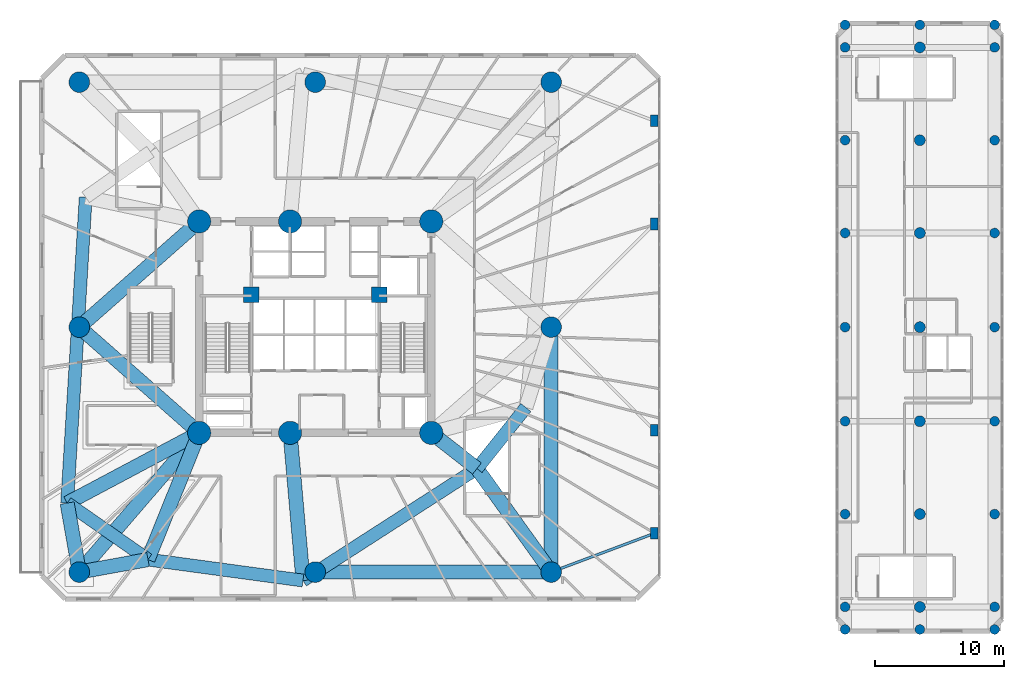
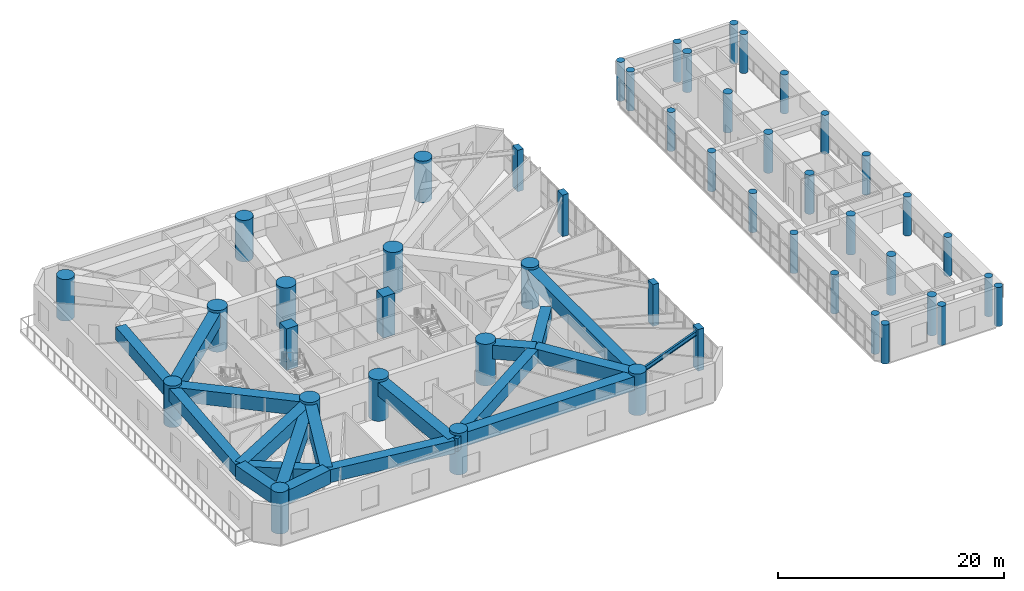
# One storey, part 1 of 22: 47 columns, 18 beams.
"""IFC4 building model written with IfcOpenShell, lengths in metres."""

from ifc_helpers import new_model, si_unit, direction, frame, origin, origin_with_axes, origin_2d, place, context, subcontext, project, spatial, rectangle, circle, i_section, extrude, source, transform, mapped, material, material_profile, profile_set, type_object, element, save


model = new_model("IFC4")

# Units and contexts
model_context = context("Model", 3, precision=1e-05, world=origin(), true_north=direction((0.0, 1.0)))
body_context = subcontext(model_context, "Body", "Model", "MODEL_VIEW")
ifc_project = project(units=[si_unit("LENGTHUNIT", "METRE"), si_unit("AREAUNIT", "SQUARE_METRE"), si_unit("VOLUMEUNIT", "CUBIC_METRE"), si_unit("PLANEANGLEUNIT", "RADIAN"), si_unit("MASSUNIT", "GRAM", prefix="KILO")], contexts=[model_context])

# Site, building, storey
site_placement = place(None, origin())
site = spatial("IfcSite", under=ifc_project, at=site_placement, CompositionType="ELEMENT")
building_placement = place(site_placement, origin())
building = spatial("IfcBuilding", under=site, at=building_placement, Name="Karkom Vertical University and Central Library", CompositionType="ELEMENT")
storey_placement = place(building_placement, frame((0.0, 0.0, 18.0)))
storey = spatial("IfcBuildingStorey", under=building, at=storey_placement, Name="L04", CompositionType="ELEMENT", Elevation=18.0)

# Columns
ifc_material_1 = material(Name="Concrete C40/50", Category="concrete")
ifc_material_profile_1 = material_profile(ifc_material_1, circle(Radius=0.375, at=origin_2d()), Name="RC-D750")
ifc_profile_set_1 = profile_set([ifc_material_profile_1], Name="Concrete C40/50")
column_type_1 = type_object("IfcColumnType", Name="STR-COL-C-LB2", PredefinedType="COLUMN", material=ifc_profile_set_1)
shared_shape_1 = source(origin_with_axes(), body_context, "Body", "SweptSolid", [
    extrude(circle(Radius=0.375, at=origin_2d()), origin(), (0.0, 0.0, 1.0), 4.22509765625),
])
for number, where, z_axis, x_axis, name in (
    (1, (69.60009765625, 3.050048828125, 0.0), (0.0, 0.0, 1.0), (1.0, 0.0, 0.0), "Level 04 Library Vault End Column"),
    (2, (69.60009765625, 49.949951171875, 0.0), (0.0, 0.0, 1.0), (1.0, 0.0, 0.0), "Level 04 Library Vault End Column"),
    (3, (75.39990234375, 3.050048828125, 0.0), (0.0, 0.0, 1.0), (1.0, 0.0, 0.0), "Level 04 Library Vault End Column"),
    (4, (75.39990234375, 49.949951171875, 0.0), (0.0, 0.0, 1.0), (1.0, 0.0, 0.0), "Level 04 Library Vault End Column"),
    (5, (81.199951171875, 3.050048828125, 0.0), (0.0, 0.0, 1.0), (1.0, 0.0, 0.0), "Level 04 Library Vault End Column"),
    (6, (81.199951171875, 49.949951171875, 0.0), (0.0, 0.0, 1.0), (1.0, 0.0, 0.0), "Level 04 Library Vault End Column"),
    (7, (69.60009765625, 4.800048828125, 0.0), (0.0, 0.0, 1.0), (1.0, 0.0, 0.0), "Level 04 Central Library Column LC-1-1"),
    (8, (69.60009765625, 12.0, 0.0), (0.0, 0.0, 1.0), (1.0, 0.0, 0.0), "Level 04 Central Library Column LC-1-2"),
    (9, (69.60009765625, 19.199951171875, 0.0), (0.0, 0.0, 1.0), (1.0, 0.0, 0.0), "Level 04 Central Library Column LC-1-3"),
    (10, (69.60009765625, 26.5, 0.0), (0.0, 0.0, 1.0), (1.0, 0.0, 0.0), "Level 04 Central Library Column LC-1-4"),
    (11, (69.60009765625, 33.800048828125, 0.0), (0.0, 0.0, 1.0), (1.0, 0.0, 0.0), "Level 04 Central Library Column LC-1-5"),
    (12, (69.60009765625, 41.0, 0.0), (0.0, 0.0, 1.0), (1.0, 0.0, 0.0), "Level 04 Central Library Column LC-1-6"),
    (13, (69.60009765625, 48.199951171875, 0.0), (0.0, 0.0, 1.0), (1.0, 0.0, 0.0), "Level 04 Central Library Column LC-1-7"),
    (14, (81.199951171875, 4.800048828125, 0.0), (0.0, 0.0, 1.0), (1.0, 0.0, 0.0), "Level 04 Central Library Column LC-3-1"),
    (15, (81.199951171875, 12.0, 0.0), (0.0, 0.0, 1.0), (1.0, 0.0, 0.0), "Level 04 Central Library Column LC-3-2"),
    (16, (81.199951171875, 19.199951171875, 0.0), (0.0, 0.0, 1.0), (1.0, 0.0, 0.0), "Level 04 Central Library Column LC-3-3"),
    (17, (81.199951171875, 26.5, 0.0), (0.0, 0.0, 1.0), (1.0, 0.0, 0.0), "Level 04 Central Library Column LC-3-4"),
    (18, (81.199951171875, 33.800048828125, 0.0), (0.0, 0.0, 1.0), (1.0, 0.0, 0.0), "Level 04 Central Library Column LC-3-5"),
    (19, (81.199951171875, 41.0, 0.0), (0.0, 0.0, 1.0), (1.0, 0.0, 0.0), "Level 04 Central Library Column LC-3-6"),
    (20, (81.199951171875, 48.199951171875, 0.0), (0.0, 0.0, 1.0), (1.0, 0.0, 0.0), "Level 04 Central Library Column LC-3-7"),
):
    element("IfcColumn", number, at=place(storey_placement, frame(where, z_axis=z_axis, x_axis=x_axis)), inside=storey, type_object=column_type_1, Name=name, PredefinedType="COLUMN", context=body_context, shape_type="MappedRepresentation", body=[
        mapped(shared_shape_1, transform((0.0, 0.0, 0.0), scale=1.0)),
    ])
ifc_material_2 = material(Name="Concrete C50/60", Category="concrete")
ifc_material_profile_2 = material_profile(ifc_material_2, circle(Radius=0.89990234375, at=origin_2d()), Name="CFT-D1800")
ifc_profile_set_2 = profile_set([ifc_material_profile_2], Name="Concrete C50/60")
column_type_2 = type_object("IfcColumnType", Name="STR-COL-C-SC1", PredefinedType="COLUMN", material=ifc_profile_set_2)
shared_shape_2 = source(origin_with_axes(), body_context, "Body", "SweptSolid", [
    extrude(circle(Radius=0.89990234375, at=origin_2d()), origin(), (0.0, 0.0, 1.0), 4.5),
])
for number, where, z_axis, x_axis, name in (
    (21, (19.5, 18.300048828125, 0.0), (0.0, 0.0, 1.0), (1.0, 0.0, 0.0), "Level 04 Spine Mega-Column SC-1"),
    (22, (26.550048828125, 18.300048828125, 0.0), (0.0, 0.0, 1.0), (1.0, 0.0, 0.0), "Level 04 Spine Mega-Column SC-2"),
    (23, (37.5, 18.300048828125, 0.0), (0.0, 0.0, 1.0), (1.0, 0.0, 0.0), "Level 04 Spine Mega-Column SC-3"),
    (24, (19.5, 34.699951171875, 0.0), (0.0, 0.0, 1.0), (1.0, 0.0, 0.0), "Level 04 Spine Mega-Column SC-4"),
    (25, (26.550048828125, 34.699951171875, 0.0), (0.0, 0.0, 1.0), (1.0, 0.0, 0.0), "Level 04 Spine Mega-Column SC-5"),
    (26, (37.5, 34.699951171875, 0.0), (0.0, 0.0, 1.0), (1.0, 0.0, 0.0), "Level 04 Spine Mega-Column SC-6"),
):
    element("IfcColumn", number, at=place(storey_placement, frame(where, z_axis=z_axis, x_axis=x_axis)), inside=storey, type_object=column_type_2, Name=name, PredefinedType="COLUMN", context=body_context, shape_type="MappedRepresentation", body=[
        mapped(shared_shape_2, transform((0.0, 0.0, 0.0), scale=1.0)),
    ])
ifc_material_profile_3 = material_profile(ifc_material_2, rectangle(XDim=1.199951171875, YDim=1.199951171875, at=origin_2d()), Name="RC-1200x1200")
ifc_profile_set_3 = profile_set([ifc_material_profile_3], Name="Concrete C50/60")
column_type_3 = type_object("IfcColumnType", Name="STR-COL-C-CC1", PredefinedType="COLUMN", material=ifc_profile_set_3)
shared_shape_3 = source(origin_with_axes(), body_context, "Body", "SweptSolid", [
    extrude(rectangle(XDim=1.199951171875, YDim=1.199951171875, at=origin_2d()), origin(), (0.0, 0.0, 1.0), 4.5),
])
for number, where, z_axis, x_axis, name in (
    (27, (23.550048828125, 29.0, 0.0), (0.0, 0.0, 1.0), (1.0, 0.0, 0.0), "Level 04 Core Node Column CC-1"),
    (28, (33.449951171875, 29.0, 0.0), (0.0, 0.0, 1.0), (1.0, 0.0, 0.0), "Level 04 Core Node Column CC-2"),
):
    element("IfcColumn", number, at=place(storey_placement, frame(where, z_axis=z_axis, x_axis=x_axis)), inside=storey, type_object=column_type_3, Name=name, PredefinedType="COLUMN", context=body_context, shape_type="MappedRepresentation", body=[
        mapped(shared_shape_3, transform((0.0, 0.0, 0.0), scale=1.0)),
    ])
ifc_material_3 = material(Name="Precast concrete C45/55", Category="concrete")
ifc_material_profile_4 = material_profile(ifc_material_3, rectangle(XDim=0.60009765625, YDim=0.89990234375, at=origin_2d()), Name="PIL-600x900")
ifc_profile_set_4 = profile_set([ifc_material_profile_4], Name="Precast concrete C45/55")
column_type_4 = type_object("IfcColumnType", Name="STR-COL-PL-ARC1", PredefinedType="PILASTER", material=ifc_profile_set_4)
shared_shape_4 = source(origin_with_axes(), body_context, "Body", "SweptSolid", [
    extrude(rectangle(XDim=0.60009765625, YDim=0.89990234375, at=origin_2d()), origin(), (0.0, 0.0, 1.0), 4.5),
])
for number, where, z_axis, x_axis, name in (
    (29, (54.800048828125, 10.5, 0.0), (0.0, 0.0, 1.0), (1.0, 0.0, 0.0), "Level 04 Podium Arcade Pilaster PIL-1"),
    (30, (54.800048828125, 18.5, 0.0), (0.0, 0.0, 1.0), (1.0, 0.0, 0.0), "Level 04 Podium Arcade Pilaster PIL-2"),
    (31, (54.800048828125, 34.5, 0.0), (0.0, 0.0, 1.0), (1.0, 0.0, 0.0), "Level 04 Podium Arcade Pilaster PIL-3"),
    (32, (54.800048828125, 42.5, 0.0), (0.0, 0.0, 1.0), (1.0, 0.0, 0.0), "Level 04 Podium Arcade Pilaster PIL-4"),
):
    element("IfcColumn", number, at=place(storey_placement, frame(where, z_axis=z_axis, x_axis=x_axis)), inside=storey, type_object=column_type_4, Name=name, PredefinedType="PILASTER", context=body_context, shape_type="MappedRepresentation", body=[
        mapped(shared_shape_4, transform((0.0, 0.0, 0.0), scale=1.0)),
    ])
ifc_material_profile_5 = material_profile(ifc_material_2, circle(Radius=0.800048828125, at=origin_2d()), Name="CFT-D1600")
ifc_profile_set_5 = profile_set([ifc_material_profile_5], Name="Concrete C50/60")
column_type_5 = type_object("IfcColumnType", Name="STR-COL-C-SC2", PredefinedType="COLUMN", material=ifc_profile_set_5)
shared_shape_5 = source(origin_with_axes(), body_context, "Body", "SweptSolid", [
    extrude(circle(Radius=0.800048828125, at=origin_2d()), origin(), (0.0, 0.0, 1.0), 4.5),
])
for number, where, z_axis, x_axis, name in (
    (33, (10.199951171875, 7.5, 0.0), (0.0, 0.0, 1.0), (1.0, 0.0, 0.0), "Level 04 Podium Mega-Column PMC-1"),
    (34, (28.5, 7.5, 0.0), (0.0, 0.0, 1.0), (1.0, 0.0, 0.0), "Level 04 Podium Mega-Column PMC-2"),
    (35, (46.800048828125, 7.5, 0.0), (0.0, 0.0, 1.0), (1.0, 0.0, 0.0), "Level 04 Podium Mega-Column PMC-3"),
    (36, (10.199951171875, 26.5, 0.0), (0.0, 0.0, 1.0), (1.0, 0.0, 0.0), "Level 04 Podium Mega-Column PMC-4"),
    (37, (46.800048828125, 26.5, 0.0), (0.0, 0.0, 1.0), (1.0, 0.0, 0.0), "Level 04 Podium Mega-Column PMC-5"),
    (38, (10.199951171875, 45.5, 0.0), (0.0, 0.0, 1.0), (1.0, 0.0, 0.0), "Level 04 Podium Mega-Column PMC-6"),
    (39, (28.5, 45.5, 0.0), (0.0, 0.0, 1.0), (1.0, 0.0, 0.0), "Level 04 Podium Mega-Column PMC-7"),
    (40, (46.800048828125, 45.5, 0.0), (0.0, 0.0, 1.0), (1.0, 0.0, 0.0), "Level 04 Podium Mega-Column PMC-8"),
):
    element("IfcColumn", number, at=place(storey_placement, frame(where, z_axis=z_axis, x_axis=x_axis)), inside=storey, type_object=column_type_5, Name=name, PredefinedType="COLUMN", context=body_context, shape_type="MappedRepresentation", body=[
        mapped(shared_shape_5, transform((0.0, 0.0, 0.0), scale=1.0)),
    ])
ifc_material_4 = material(Name="Concrete C45/55", Category="concrete")
ifc_material_profile_6 = material_profile(ifc_material_4, circle(Radius=0.425048828125, at=origin_2d()), Name="RC-D850")
ifc_profile_set_6 = profile_set([ifc_material_profile_6], Name="Concrete C45/55")
column_type_6 = type_object("IfcColumnType", Name="STR-COL-C-LB1", PredefinedType="COLUMN", material=ifc_profile_set_6)
shared_shape_6 = source(origin_with_axes(), body_context, "Body", "SweptSolid", [
    extrude(circle(Radius=0.425048828125, at=origin_2d()), origin(), (0.0, 0.0, 1.0), 4.22509765625),
])
for number, where, z_axis, x_axis, name in (
    (41, (75.39990234375, 4.800048828125, 0.0), (0.0, 0.0, 1.0), (1.0, 0.0, 0.0), "Level 04 Central Library Column LC-2-1"),
    (42, (75.39990234375, 12.0, 0.0), (0.0, 0.0, 1.0), (1.0, 0.0, 0.0), "Level 04 Central Library Column LC-2-2"),
    (43, (75.39990234375, 19.199951171875, 0.0), (0.0, 0.0, 1.0), (1.0, 0.0, 0.0), "Level 04 Central Library Column LC-2-3"),
    (44, (75.39990234375, 26.5, 0.0), (0.0, 0.0, 1.0), (1.0, 0.0, 0.0), "Level 04 Central Library Column LC-2-4"),
    (45, (75.39990234375, 33.800048828125, 0.0), (0.0, 0.0, 1.0), (1.0, 0.0, 0.0), "Level 04 Central Library Column LC-2-5"),
    (46, (75.39990234375, 41.0, 0.0), (0.0, 0.0, 1.0), (1.0, 0.0, 0.0), "Level 04 Central Library Column LC-2-6"),
    (47, (75.39990234375, 48.199951171875, 0.0), (0.0, 0.0, 1.0), (1.0, 0.0, 0.0), "Level 04 Central Library Column LC-2-7"),
):
    element("IfcColumn", number, at=place(storey_placement, frame(where, z_axis=z_axis, x_axis=x_axis)), inside=storey, type_object=column_type_6, Name=name, PredefinedType="COLUMN", context=body_context, shape_type="MappedRepresentation", body=[
        mapped(shared_shape_6, transform((0.0, 0.0, 0.0), scale=1.0)),
    ])

# Beams
ifc_material_5 = material(Name="Steel S355", Category="steel")
ifc_material_profile_7 = material_profile(ifc_material_5, i_section(OverallWidth=0.199951171875, OverallDepth=0.5, WebThickness=0.01025390625, FlangeThickness=0.01611328125, FilletRadius=0.02099609375, at=origin_2d()), Name="IPE 500")
ifc_profile_set_7 = profile_set([ifc_material_profile_7], Name="Steel S355")
beam_type_1 = type_object("IfcBeamType", Name="STR-BM-SB-IPE500", PredefinedType="BEAM", material=ifc_profile_set_7)
shared_shape_7 = source(origin_with_axes(), body_context, "Body", "SweptSolid", [
    extrude(i_section(OverallWidth=0.199951171875, OverallDepth=0.5, WebThickness=0.01025390625, FlangeThickness=0.01611328125, FilletRadius=0.02099609375, at=origin_2d()), origin(), (0.0, 0.0, 1.0), 8.5439453125),
])
beam_1_placement = place(storey_placement, frame((46.800048828125, 7.5, 3.97509765625), z_axis=(0.936329177569, 0.351123441588, 0.0), x_axis=(-0.351123441588, 0.936329177569, 0.0)))
element("IfcBeam", 48, at=beam_1_placement, inside=storey, type_object=beam_type_1, Name="Level 04 Arcade Tie Beam 1", PredefinedType="BEAM", context=body_context, shape_type="MappedRepresentation", body=[
    mapped(shared_shape_7, transform((0.0, 0.0, 0.0), scale=1.0)),
])
ifc_material_profile_8 = material_profile(ifc_material_2, rectangle(XDim=1.10009765625, YDim=1.5, at=origin_2d()), Name="TG-1100x1500")
ifc_profile_set_8 = profile_set([ifc_material_profile_8], Name="Concrete C50/60")
beam_type_2 = type_object("IfcBeamType", Name="STR-BM-TG-1", PredefinedType="USERDEFINED", material=ifc_profile_set_8)
shared_shape_8 = source(origin_with_axes(), body_context, "Body", "SweptSolid", [
    extrude(rectangle(XDim=1.10009765625, YDim=1.5, at=origin_2d()), origin(), (0.0, 0.0, 1.0), 11.499755859375),
])
beam_2_placement = place(storey_placement, frame((26.550048828125, 18.300048828125, 3.47509765625), z_axis=(0.087127973109, -0.99619712723, 0.0), x_axis=(0.99619712723, 0.087127973109, 0.0)))
element("IfcBeam", 49, at=beam_2_placement, inside=storey, type_object=beam_type_2, Name="Level 05 Transfer Girder SC-08", ObjectType="GIRDER", PredefinedType="USERDEFINED", context=body_context, shape_type="MappedRepresentation", body=[
    mapped(shared_shape_8, transform((0.0, 0.0, 0.0), scale=1.0)),
])
shared_shape_9 = source(origin_with_axes(), body_context, "Body", "SweptSolid", [
    extrude(rectangle(XDim=1.10009765625, YDim=1.5, at=origin_2d()), origin(), (0.0, 0.0, 1.0), 11.599853515625),
])
beam_3_placement = place(storey_placement, frame((19.5, 18.300048828125, 3.47509765625), z_axis=(-0.882936620635, -0.469492197957, 0.0), x_axis=(0.469492197957, -0.882936620635, 0.0)))
element("IfcBeam", 50, at=beam_3_placement, inside=storey, type_object=beam_type_2, Name="Level 05 Transfer Girder SC-06", ObjectType="GIRDER", PredefinedType="USERDEFINED", context=body_context, shape_type="MappedRepresentation", body=[
    mapped(shared_shape_9, transform((0.0, 0.0, 0.0), scale=1.0)),
])
shared_shape_10 = source(origin_with_axes(), body_context, "Body", "SweptSolid", [
    extrude(rectangle(XDim=1.10009765625, YDim=1.5, at=origin_2d()), origin(), (0.0, 0.0, 1.0), 5.436279296875),
])
beam_4_placement = place(storey_placement, frame((10.199951171875, 7.5, 3.47509765625), z_axis=(-0.173262665886, 0.984875651344, 0.0), x_axis=(-0.984875651344, -0.173262665886, 0.0)))
element("IfcBeam", 51, at=beam_4_placement, inside=storey, type_object=beam_type_2, Name="Level 05 Transfer Girder PMC-06", ObjectType="GIRDER", PredefinedType="USERDEFINED", context=body_context, shape_type="MappedRepresentation", body=[
    mapped(shared_shape_10, transform((0.0, 0.0, 0.0), scale=1.0)),
])
shared_shape_11 = source(origin_with_axes(), body_context, "Body", "SweptSolid", [
    extrude(rectangle(XDim=1.10009765625, YDim=1.5, at=origin_2d()), origin(), (0.0, 0.0, 1.0), 10.60009765625),
])
beam_5_placement = place(storey_placement, frame((19.5, 18.300048828125, 3.47509765625), z_axis=(-0.374616894394, -0.927179692635, 0.0), x_axis=(0.927179692635, -0.374616894394, 0.0)))
element("IfcBeam", 52, at=beam_5_placement, inside=storey, type_object=beam_type_2, Name="Level 05 Transfer Girder SC-07", ObjectType="GIRDER", PredefinedType="USERDEFINED", context=body_context, shape_type="MappedRepresentation", body=[
    mapped(shared_shape_11, transform((0.0, 0.0, 0.0), scale=1.0)),
])
shared_shape_12 = source(origin_with_axes(), body_context, "Body", "SweptSolid", [
    extrude(rectangle(XDim=1.10009765625, YDim=1.5, at=origin_2d()), origin(), (0.0, 0.0, 1.0), 5.4169921875),
])
beam_6_placement = place(storey_placement, frame((10.199951171875, 7.5, 3.47509765625), z_axis=(0.983772414749, 0.179420834851, 0.0), x_axis=(-0.179420834851, 0.983772414749, 0.0)))
element("IfcBeam", 53, at=beam_6_placement, inside=storey, type_object=beam_type_2, Name="Level 05 Transfer Girder PMC-07", ObjectType="GIRDER", PredefinedType="USERDEFINED", context=body_context, shape_type="MappedRepresentation", body=[
    mapped(shared_shape_12, transform((0.0, 0.0, 0.0), scale=1.0)),
])
shared_shape_13 = source(origin_with_axes(), body_context, "Body", "SweptSolid", [
    extrude(rectangle(XDim=1.10009765625, YDim=1.5, at=origin_2d()), origin(), (0.0, 0.0, 1.0), 4.49951171875),
])
beam_7_placement = place(storey_placement, frame((37.5, 18.300048828125, 3.47509765625), z_axis=(0.788047405801, -0.615614559778, 0.0), x_axis=(0.615614559778, 0.788047405801, 0.0)))
element("IfcBeam", 54, at=beam_7_placement, inside=storey, type_object=beam_type_2, Name="Level 05 Transfer Girder SC-09", ObjectType="GIRDER", PredefinedType="USERDEFINED", context=body_context, shape_type="MappedRepresentation", body=[
    mapped(shared_shape_13, transform((0.0, 0.0, 0.0), scale=1.0)),
])
shared_shape_14 = source(origin_with_axes(), body_context, "Body", "SweptSolid", [
    extrude(rectangle(XDim=1.10009765625, YDim=1.5, at=origin_2d()), origin(), (0.0, 0.0, 1.0), 9.87890625),
])
beam_8_placement = place(storey_placement, frame((46.800048828125, 7.5, 3.47509765625), z_axis=(-0.582471862848, 0.812850865159, 0.0), x_axis=(-0.812850865159, -0.582471862848, 0.0)))
element("IfcBeam", 55, at=beam_8_placement, inside=storey, type_object=beam_type_2, Name="Level 05 Transfer Girder PMC-09", ObjectType="GIRDER", PredefinedType="USERDEFINED", context=body_context, shape_type="MappedRepresentation", body=[
    mapped(shared_shape_14, transform((0.0, 0.0, 0.0), scale=1.0)),
])
ifc_material_profile_9 = material_profile(ifc_material_2, rectangle(XDim=1.0, YDim=1.39990234375, at=origin_2d()), Name="TG-1000x1400")
ifc_profile_set_9 = profile_set([ifc_material_profile_9], Name="Concrete C50/60")
beam_type_3 = type_object("IfcBeamType", Name="STR-BM-TG-2", PredefinedType="USERDEFINED", material=ifc_profile_set_9)
shared_shape_15 = source(origin_with_axes(), body_context, "Body", "SweptSolid", [
    extrude(rectangle(XDim=1.0, YDim=1.39990234375, at=origin_2d()), origin(), (0.0, 0.0, 1.0), 23.7607421875),
])
beam_9_placement = place(storey_placement, frame((10.697021484375, 36.571044921875, 3.52490234375), z_axis=(-0.060560827767, -0.998164508556, 0.0), x_axis=(0.998164508556, -0.060560827767, 0.0)))
element("IfcBeam", 56, at=beam_9_placement, inside=storey, type_object=beam_type_3, Name="Level 05 Perimeter Transfer Ring 05", ObjectType="GIRDER", PredefinedType="USERDEFINED", context=body_context, shape_type="MappedRepresentation", body=[
    mapped(shared_shape_15, transform((0.0, 0.0, 0.0), scale=1.0)),
])
shared_shape_16 = source(origin_with_axes(), body_context, "Body", "SweptSolid", [
    extrude(rectangle(XDim=1.0, YDim=1.39990234375, at=origin_2d()), origin(), (0.0, 0.0, 1.0), 7.650390625),
])
beam_10_placement = place(storey_placement, frame((9.258056640625, 12.85400390625, 3.52490234375), z_axis=(0.819699409527, -0.572793922822, 0.0), x_axis=(0.572793922822, 0.819699409527, 0.0)))
element("IfcBeam", 57, at=beam_10_placement, inside=storey, type_object=beam_type_3, Name="Level 05 Perimeter Transfer Ring 06", ObjectType="GIRDER", PredefinedType="USERDEFINED", context=body_context, shape_type="MappedRepresentation", body=[
    mapped(shared_shape_16, transform((0.0, 0.0, 0.0), scale=1.0)),
])
shared_shape_17 = source(origin_with_axes(), body_context, "Body", "SweptSolid", [
    extrude(rectangle(XDim=1.0, YDim=1.39990234375, at=origin_2d()), origin(), (0.0, 0.0, 1.0), 12.132568359375),
])
beam_11_placement = place(storey_placement, frame((15.529052734375, 8.471923828125, 3.52490234375), z_axis=(0.990957319008, -0.134177464223, 0.0), x_axis=(0.134177464223, 0.990957319008, 0.0)))
element("IfcBeam", 58, at=beam_11_placement, inside=storey, type_object=beam_type_3, Name="Level 05 Perimeter Transfer Ring 07", ObjectType="GIRDER", PredefinedType="USERDEFINED", context=body_context, shape_type="MappedRepresentation", body=[
    mapped(shared_shape_17, transform((0.0, 0.0, 0.0), scale=1.0)),
])
shared_shape_18 = source(origin_with_axes(), body_context, "Body", "SweptSolid", [
    extrude(rectangle(XDim=1.0, YDim=1.39990234375, at=origin_2d()), origin(), (0.0, 0.0, 1.0), 16.0478515625),
])
beam_12_placement = place(storey_placement, frame((27.552001953125, 6.843994140625, 3.52490234375), z_axis=(0.84085555045, 0.541259589548, 0.0), x_axis=(-0.541259589548, 0.84085555045, 0.0)))
element("IfcBeam", 59, at=beam_12_placement, inside=storey, type_object=beam_type_3, Name="Level 05 Perimeter Transfer Ring 08", ObjectType="GIRDER", PredefinedType="USERDEFINED", context=body_context, shape_type="MappedRepresentation", body=[
    mapped(shared_shape_18, transform((0.0, 0.0, 0.0), scale=1.0)),
])
shared_shape_19 = source(origin_with_axes(), body_context, "Body", "SweptSolid", [
    extrude(rectangle(XDim=1.0, YDim=1.39990234375, at=origin_2d()), origin(), (0.0, 0.0, 1.0), 6.06982421875),
])
beam_13_placement = place(storey_placement, frame((41.0458984375, 15.530029296875, 3.52490234375), z_axis=(0.625249167344, 0.780425190992, 0.0), x_axis=(-0.780425190992, 0.625249167344, 0.0)))
element("IfcBeam", 60, at=beam_13_placement, inside=storey, type_object=beam_type_3, Name="Level 05 Perimeter Transfer Ring 09", ObjectType="GIRDER", PredefinedType="USERDEFINED", context=body_context, shape_type="MappedRepresentation", body=[
    mapped(shared_shape_19, transform((0.0, 0.0, 0.0), scale=1.0)),
])
shared_shape_20 = source(origin_with_axes(), body_context, "Body", "SweptSolid", [
    extrude(rectangle(XDim=1.10009765625, YDim=1.5, at=origin_2d()), origin(), (0.0, 0.0, 1.0), 18.300048828125),
])
beam_14_placement = place(storey_placement, frame((28.5, 7.5, 3.47509765625), z_axis=(1.0, 0.0, 0.0), x_axis=(0.0, 1.0, 0.0)))
element("IfcBeam", 61, at=beam_14_placement, inside=storey, type_object=beam_type_2, Name="Level 04 Podium Primary Girder 02", ObjectType="GIRDER", PredefinedType="USERDEFINED", context=body_context, shape_type="MappedRepresentation", body=[
    mapped(shared_shape_20, transform((0.0, 0.0, 0.0), scale=1.0)),
])
shared_shape_21 = source(origin_with_axes(), body_context, "Body", "SweptSolid", [
    extrude(rectangle(XDim=1.10009765625, YDim=1.5, at=origin_2d()), origin(), (0.0, 0.0, 1.0), 19.0),
])
beam_15_placement = place(storey_placement, frame((46.800048828125, 7.5, 3.47509765625), z_axis=(0.0, 1.0, 0.0), x_axis=(-1.0, 0.0, 0.0)))
element("IfcBeam", 62, at=beam_15_placement, inside=storey, type_object=beam_type_2, Name="Level 04 Podium Primary Girder 05", ObjectType="GIRDER", PredefinedType="USERDEFINED", context=body_context, shape_type="MappedRepresentation", body=[
    mapped(shared_shape_21, transform((0.0, 0.0, 0.0), scale=1.0)),
])
shared_shape_22 = source(origin_with_axes(), body_context, "Body", "SweptSolid", [
    extrude(rectangle(XDim=1.10009765625, YDim=1.5, at=origin_2d()), origin(), (0.0, 0.0, 1.0), 14.25244140625),
])
beam_16_placement = place(storey_placement, frame((10.199951171875, 7.5, 3.47509765625), z_axis=(0.652523408586, 0.757768567076, 0.0), x_axis=(-0.757768567076, 0.652523408586, 0.0)))
element("IfcBeam", 63, at=beam_16_placement, inside=storey, type_object=beam_type_2, Name="Level 04 Podium Primary Girder 09", ObjectType="GIRDER", PredefinedType="USERDEFINED", context=body_context, shape_type="MappedRepresentation", body=[
    mapped(shared_shape_22, transform((0.0, 0.0, 0.0), scale=1.0)),
])
shared_shape_23 = source(origin_with_axes(), body_context, "Body", "SweptSolid", [
    extrude(rectangle(XDim=1.10009765625, YDim=1.5, at=origin_2d()), origin(), (0.0, 0.0, 1.0), 12.398681640625),
])
for number, where, z_axis, x_axis, name in (
    (64, (10.199951171875, 26.5, 3.47509765625), (0.75007685274, -0.661350674743, 0.0), (0.661350674743, 0.75007685274, 0.0), "Level 04 Podium Primary Girder 15"),
    (65, (10.199951171875, 26.5, 3.47509765625), (0.75007685274, 0.661350674743, 0.0), (-0.661350674743, 0.75007685274, 0.0), "Level 04 Podium Primary Girder 16"),
):
    element("IfcBeam", number, at=place(storey_placement, frame(where, z_axis=z_axis, x_axis=x_axis)), inside=storey, type_object=beam_type_2, Name=name, ObjectType="GIRDER", PredefinedType="USERDEFINED", context=body_context, shape_type="MappedRepresentation", body=[
        mapped(shared_shape_23, transform((0.0, 0.0, 0.0), scale=1.0)),
    ])

save(model, "model.ifc")
